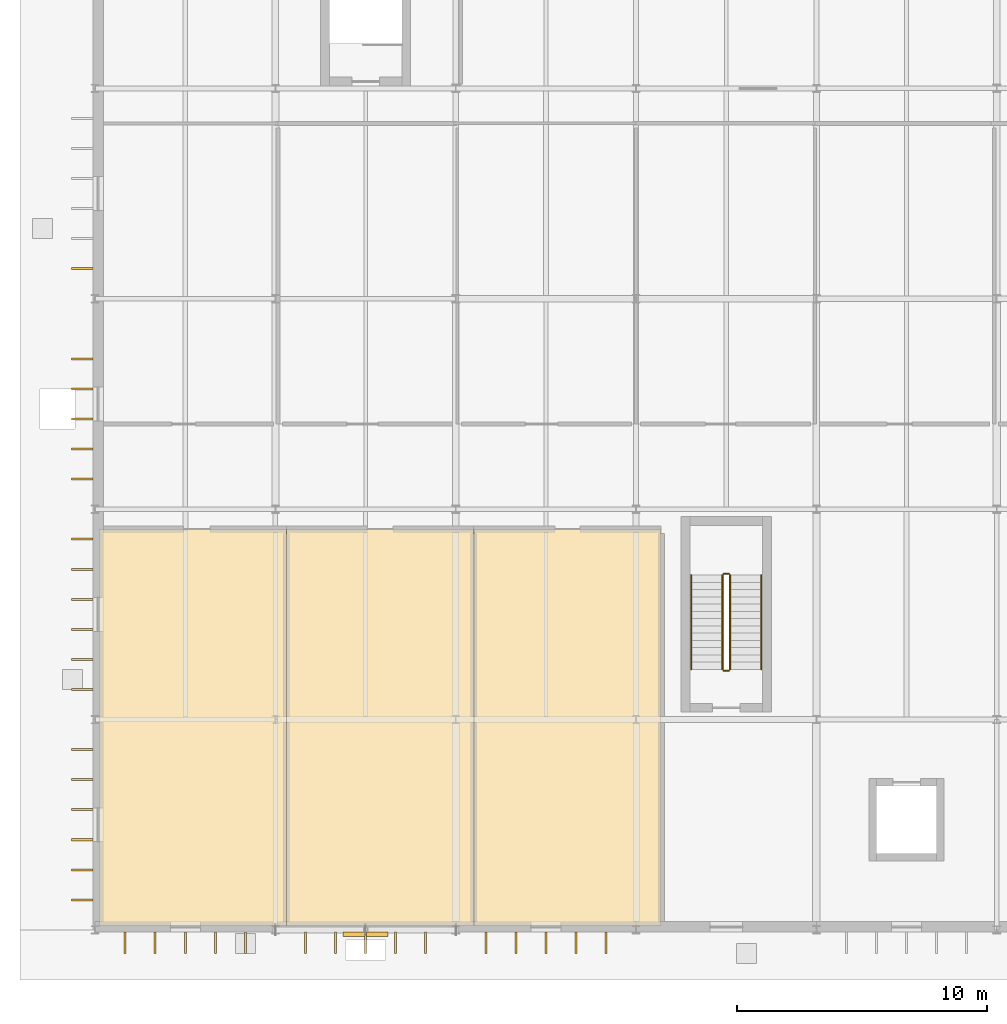
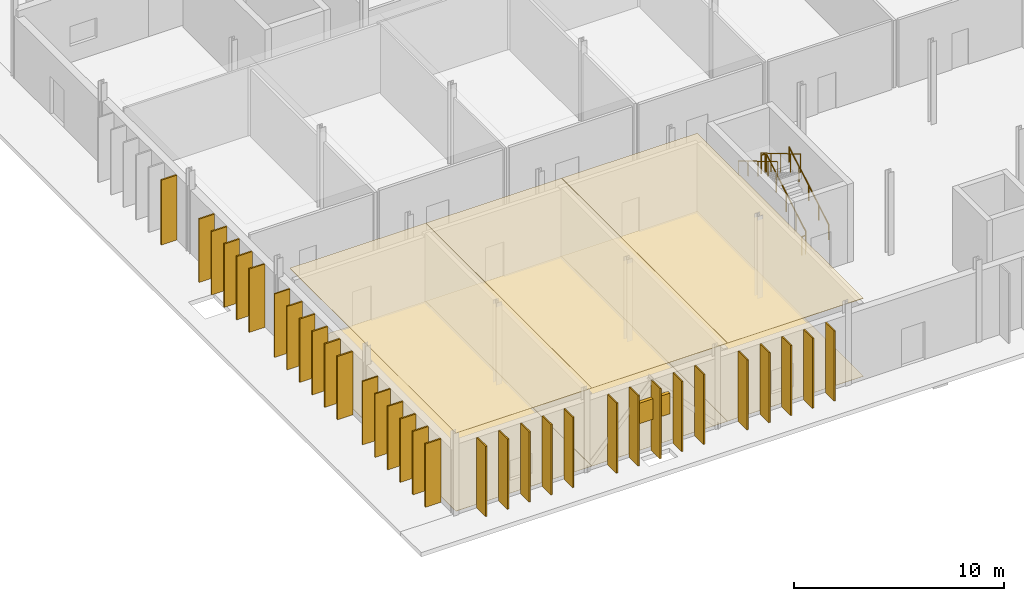
# One storey, part 102 of 118: 34 shading devices, 6 coverings, 6 railings.
"""IFC4 building model written with IfcOpenShell, lengths in metres."""

from ifc_helpers import new_model, si_unit, direction, frame, origin, origin_2d, place, context, subcontext, project, spatial, polyline, rectangle, circle, outline, extrude, material, layer, layer_set, type_object, element, save


model = new_model("IFC4")

# Units and contexts
model_context = context("Model", 3, precision=1e-05, world=origin(), true_north=direction((0.0, 1.0)))
body_context = subcontext(model_context, "Body", "Model", "MODEL_VIEW")
ifc_project = project(units=[si_unit("LENGTHUNIT", "METRE"), si_unit("AREAUNIT", "SQUARE_METRE"), si_unit("VOLUMEUNIT", "CUBIC_METRE"), si_unit("PLANEANGLEUNIT", "RADIAN"), si_unit("MASSUNIT", "GRAM", prefix="KILO")], contexts=[model_context])

# Site, building, storey
site_placement = place(None, origin())
site = spatial("IfcSite", under=ifc_project, at=site_placement, CompositionType="ELEMENT")
building_placement = place(site_placement, origin())
building = spatial("IfcBuilding", under=site, at=building_placement, Name="Qelthora Terrace Specialist Clinic", CompositionType="ELEMENT")
storey_placement = place(building_placement, origin())
storey = spatial("IfcBuildingStorey", under=building, at=storey_placement, Name="L00", CompositionType="ELEMENT", Elevation=0.0)

# Coverings
ifc_material_1 = material(Name="Hygienic mineral-fibre acoustic ceiling", Category="gypsum")
ifc_layer_1 = layer(ifc_material_1, 0.02490234375)
ifc_layer_set_1 = layer_set([ifc_layer_1], Name="Hygienic mineral-fibre acoustic ceiling")
covering_type_1 = type_object("IfcCoveringType", Name="COV-CEIL-ACU-25", PredefinedType="CEILING", material=ifc_layer_set_1)
covering_1_placement = place(storey_placement, frame((0.0, 0.0, 4.534912109375)))
element("IfcCovering", 1, at=covering_1_placement, inside=storey, type_object=covering_type_1, Name="MRI and CT Diagnostic Suite L00-11 acoustic ceiling", PredefinedType="CEILING", context=body_context, shape_type="SweptSolid", body=[
    extrude(outline(polyline([(0.14990234375, 0.14990234375), (0.14990234375, 16.0), (7.63330078125, 16.0), (7.63330078125, 0.14990234375), (0.14990234375, 0.14990234375)])), origin(), (0.0, 0.0, 1.0), 0.025146484375),
])
covering_2_placement = place(storey_placement, frame((0.0, 0.0, 4.534912109375)))
element("IfcCovering", 2, at=covering_2_placement, inside=storey, type_object=covering_type_1, Name="Fluoroscopy Imaging Room L00-12 acoustic ceiling", PredefinedType="CEILING", context=body_context, shape_type="SweptSolid", body=[
    extrude(outline(polyline([(7.63818359375, 0.14990234375), (7.63818359375, 16.0), (15.11669921875, 16.0), (15.11669921875, 0.14990234375), (7.63818359375, 0.14990234375)])), origin(), (0.0, 0.0, 1.0), 0.025146484375),
])
covering_3_placement = place(storey_placement, frame((0.0, 0.0, 4.534912109375)))
element("IfcCovering", 3, at=covering_3_placement, inside=storey, type_object=covering_type_1, Name="Imaging Control Booth L00-13 acoustic ceiling", PredefinedType="CEILING", context=body_context, shape_type="SweptSolid", body=[
    extrude(outline(polyline([(15.12158203125, 0.14990234375), (15.12158203125, 16.0), (22.60009765625, 16.0), (22.60009765625, 0.14990234375), (15.12158203125, 0.14990234375)])), origin(), (0.0, 0.0, 1.0), 0.025146484375),
])
ifc_material_2 = material(Name="Antimicrobial clinical linoleum flooring", Category="other")
ifc_layer_2 = layer(ifc_material_2, 0.011962890625)
ifc_layer_set_2 = layer_set([ifc_layer_2], Name="Antimicrobial clinical linoleum flooring")
covering_type_2 = type_object("IfcCoveringType", Name="COV-FLR-LINO-12", PredefinedType="FLOORING", material=ifc_layer_set_2)
covering_4_placement = place(storey_placement, origin())
element("IfcCovering", 4, at=covering_4_placement, inside=storey, type_object=covering_type_2, Name="MRI and CT Diagnostic Suite L00-11 resilient linoleum flooring", PredefinedType="FLOORING", context=body_context, shape_type="SweptSolid", body=[
    extrude(outline(polyline([(0.14990234375, 0.14990234375), (0.14990234375, 16.0), (7.63330078125, 16.0), (7.63330078125, 0.14990234375), (0.14990234375, 0.14990234375)])), origin(), (0.0, 0.0, 1.0), 0.011962890625),
])
covering_5_placement = place(storey_placement, origin())
element("IfcCovering", 5, at=covering_5_placement, inside=storey, type_object=covering_type_2, Name="Fluoroscopy Imaging Room L00-12 resilient linoleum flooring", PredefinedType="FLOORING", context=body_context, shape_type="SweptSolid", body=[
    extrude(outline(polyline([(7.63818359375, 0.14990234375), (7.63818359375, 16.0), (15.11669921875, 16.0), (15.11669921875, 0.14990234375), (7.63818359375, 0.14990234375)])), origin(), (0.0, 0.0, 1.0), 0.011962890625),
])
covering_6_placement = place(storey_placement, origin())
element("IfcCovering", 6, at=covering_6_placement, inside=storey, type_object=covering_type_2, Name="Imaging Control Booth L00-13 resilient linoleum flooring", PredefinedType="FLOORING", context=body_context, shape_type="SweptSolid", body=[
    extrude(outline(polyline([(15.12158203125, 0.14990234375), (15.12158203125, 16.0), (22.60009765625, 16.0), (22.60009765625, 0.14990234375), (15.12158203125, 0.14990234375)])), origin(), (0.0, 0.0, 1.0), 0.011962890625),
])

# Railings
ifc_material_3 = material(Name="Steel S355", Category="steel")
railing_type_1 = type_object("IfcRailingType", Name="RAL-GD-1100-S355", PredefinedType="GUARDRAIL", material=ifc_material_3)
railing_1_placement = place(storey_placement, frame((25.35009765625, 10.39990234375, 0.17138671875)))
element("IfcRailing", 7, at=railing_1_placement, inside=storey, type_object=railing_type_1, Name="L00 ST-03 stair guard 1", PredefinedType="GUARDRAIL", context=body_context, shape_type="SweptSolid", body=[
    extrude(circle(Radius=0.02392578125, at=origin_2d()), frame((0.0, 0.0, 1.076171875), z_axis=(0.0, 0.860848830602, 0.508860777473), x_axis=(-1.0, 0.0, 0.0)), (0.0, 0.0, 1.0), 4.37939453125),
    extrude(circle(Radius=0.02099609375, at=origin_2d()), origin(), (0.0, 0.0, 1.0), 1.052001953125),
    extrude(circle(Radius=0.02099609375, at=origin_2d()), frame((0.0, 0.9423828125, 0.55712890625)), (0.0, 0.0, 1.0), 1.052001953125),
    extrude(circle(Radius=0.02099609375, at=origin_2d()), frame((0.0, 1.885009765625, 1.1142578125)), (0.0, 0.0, 1.0), 1.052001953125),
    extrude(circle(Radius=0.02099609375, at=origin_2d()), frame((0.0, 2.82763671875, 1.67138671875)), (0.0, 0.0, 1.0), 1.052001953125),
    extrude(circle(Radius=0.02099609375, at=origin_2d()), frame((0.0, 3.77001953125, 2.228515625)), (0.0, 0.0, 1.0), 1.052001953125),
])
railing_2_placement = place(storey_placement, frame((25.300048828125, 14.219970703125, 2.39990234375)))
element("IfcRailing", 8, at=railing_2_placement, inside=storey, type_object=railing_type_1, Name="L00 ST-03 stair guard 2", PredefinedType="GUARDRAIL", context=body_context, shape_type="SweptSolid", body=[
    extrude(circle(Radius=0.02392578125, at=origin_2d()), frame((0.0, 0.0, 1.076171875), z_axis=(-1.0, 0.0, 0.0), x_axis=(0.0, -1.0, 0.0)), (0.0, 0.0, 1.0), 0.199951171875),
    extrude(circle(Radius=0.02099609375, at=origin_2d()), origin(), (0.0, 0.0, 1.0), 1.052001953125),
    extrude(circle(Radius=0.02099609375, at=origin_2d()), frame((-0.199951171875, 0.0, 0.0)), (0.0, 0.0, 1.0), 1.052001953125),
])
railing_3_placement = place(storey_placement, frame((25.050048828125, 14.169921875, 2.571533203125)))
element("IfcRailing", 9, at=railing_3_placement, inside=storey, type_object=railing_type_1, Name="L00 ST-03 stair guard 3", PredefinedType="GUARDRAIL", context=body_context, shape_type="SweptSolid", body=[
    extrude(circle(Radius=0.02392578125, at=origin_2d()), frame((0.0, 0.0, 1.076171875), z_axis=(0.0, -0.860848830602, 0.508860777473), x_axis=(1.0, 0.0, 0.0)), (0.0, 0.0, 1.0), 4.37939453125),
    extrude(circle(Radius=0.02099609375, at=origin_2d()), origin(), (0.0, 0.0, 1.0), 1.052001953125),
    extrude(circle(Radius=0.02099609375, at=origin_2d()), frame((0.0, -0.9423828125, 0.55712890625)), (0.0, 0.0, 1.0), 1.052001953125),
    extrude(circle(Radius=0.02099609375, at=origin_2d()), frame((0.0, -1.885009765625, 1.1142578125)), (0.0, 0.0, 1.0), 1.052001953125),
    extrude(circle(Radius=0.02099609375, at=origin_2d()), frame((0.0, -2.82763671875, 1.67138671875)), (0.0, 0.0, 1.0), 1.052001953125),
    extrude(circle(Radius=0.02099609375, at=origin_2d()), frame((0.0, -3.77001953125, 2.228515625)), (0.0, 0.0, 1.0), 1.052001953125),
])
railing_4_placement = place(storey_placement, frame((25.300048828125, 10.35009765625, 0.0)))
element("IfcRailing", 10, at=railing_4_placement, inside=storey, type_object=railing_type_1, Name="L00 ST-03 stair guard 4", PredefinedType="GUARDRAIL", context=body_context, shape_type="SweptSolid", body=[
    extrude(circle(Radius=0.02392578125, at=origin_2d()), frame((0.0, 0.0, 1.076171875), z_axis=(-1.0, 0.0, 0.0), x_axis=(0.0, -1.0, 0.0)), (0.0, 0.0, 1.0), 0.199951171875),
    extrude(circle(Radius=0.02099609375, at=origin_2d()), origin(), (0.0, 0.0, 1.0), 1.052001953125),
    extrude(circle(Radius=0.02099609375, at=origin_2d()), frame((-0.199951171875, 0.0, 0.0)), (0.0, 0.0, 1.0), 1.052001953125),
])
railing_type_2 = type_object("IfcRailingType", Name="RAL-HR-900-S355", PredefinedType="HANDRAIL", material=ifc_material_3)
railing_5_placement = place(storey_placement, frame((26.60009765625, 10.39990234375, 0.36083984375)))
element("IfcRailing", 11, at=railing_5_placement, inside=storey, type_object=railing_type_2, Name="L00 ST-03 stair handrail 1", PredefinedType="HANDRAIL", context=body_context, shape_type="SweptSolid", body=[
    extrude(circle(Radius=0.02392578125, at=origin_2d()), frame((0.0, 0.0, 0.8759765625), z_axis=(0.0, 0.860848830602, 0.508860777473), x_axis=(-1.0, 0.0, 0.0)), (0.0, 0.0, 1.0), 4.37939453125),
    extrude(circle(Radius=0.02099609375, at=origin_2d()), origin(), (0.0, 0.0, 1.0), 0.851806640625),
    extrude(circle(Radius=0.02099609375, at=origin_2d()), frame((0.0, 0.9423828125, 0.55712890625)), (0.0, 0.0, 1.0), 0.851806640625),
    extrude(circle(Radius=0.02099609375, at=origin_2d()), frame((0.0, 1.885009765625, 1.1142578125)), (0.0, 0.0, 1.0), 0.851806640625),
    extrude(circle(Radius=0.02099609375, at=origin_2d()), frame((0.0, 2.82763671875, 1.67138671875)), (0.0, 0.0, 1.0), 0.851806640625),
    extrude(circle(Radius=0.02099609375, at=origin_2d()), frame((0.0, 3.77001953125, 2.228515625)), (0.0, 0.0, 1.0), 0.851806640625),
])
railing_6_placement = place(storey_placement, frame((23.800048828125, 14.169921875, 2.7607421875)))
element("IfcRailing", 12, at=railing_6_placement, inside=storey, type_object=railing_type_2, Name="L00 ST-03 stair handrail 2", PredefinedType="HANDRAIL", context=body_context, shape_type="SweptSolid", body=[
    extrude(circle(Radius=0.02392578125, at=origin_2d()), frame((0.0, 0.0, 0.8759765625), z_axis=(0.0, -0.860824410104, 0.508902087802), x_axis=(1.0, 0.0, 0.0)), (0.0, 0.0, 1.0), 4.379638671875),
    extrude(circle(Radius=0.02099609375, at=origin_2d()), origin(), (0.0, 0.0, 1.0), 0.851806640625),
    extrude(circle(Radius=0.02099609375, at=origin_2d()), frame((0.0, -0.9423828125, 0.55712890625)), (0.0, 0.0, 1.0), 0.851806640625),
    extrude(circle(Radius=0.02099609375, at=origin_2d()), frame((0.0, -1.885009765625, 1.1142578125)), (0.0, 0.0, 1.0), 0.851806640625),
    extrude(circle(Radius=0.02099609375, at=origin_2d()), frame((0.0, -2.82763671875, 1.671630859375)), (0.0, 0.0, 1.0), 0.851806640625),
    extrude(circle(Radius=0.02099609375, at=origin_2d()), frame((0.0, -3.77001953125, 2.228759765625)), (0.0, 0.0, 1.0), 0.851806640625),
])

# Shading devices
ifc_material_4 = material(Name="Glulam timber GL28h", Category="wood")
shading_device_type_1 = type_object("IfcShadingDeviceType", Name="SHD-FIN-850", PredefinedType="USERDEFINED", material=ifc_material_4)
for number, where, z_axis, x_axis, name in (
    (13, (1.199951171875, -0.514892578125, 0.0), (0.0, 0.0, 1.0), (0.0, -1.0, 0.0), "Exterior solar shading fin FIN-0521"),
    (14, (2.39990234375, -0.514892578125, 0.0), (0.0, 0.0, 1.0), (0.0, -1.0, 0.0), "Exterior solar shading fin FIN-0522"),
    (15, (3.60009765625, -0.514892578125, 0.0), (0.0, 0.0, 1.0), (0.0, -1.0, 0.0), "Exterior solar shading fin FIN-0523"),
    (16, (4.800048828125, -0.514892578125, 0.0), (0.0, 0.0, 1.0), (0.0, -1.0, 0.0), "Exterior solar shading fin FIN-0524"),
    (17, (6.0, -0.514892578125, 0.0), (0.0, 0.0, 1.0), (0.0, -1.0, 0.0), "Exterior solar shading fin FIN-0525"),
    (18, (8.39990234375, -0.514892578125, 0.0), (0.0, 0.0, 1.0), (0.0, -1.0, 0.0), "Exterior solar shading fin FIN-0526"),
    (19, (9.60009765625, -0.514892578125, 0.0), (0.0, 0.0, 1.0), (0.0, -1.0, 0.0), "Exterior solar shading fin FIN-0527"),
    (20, (10.800048828125, -0.514892578125, 0.0), (0.0, 0.0, 1.0), (0.0, -1.0, 0.0), "Exterior solar shading fin FIN-0528"),
    (21, (12.0, -0.514892578125, 0.0), (0.0, 0.0, 1.0), (0.0, -1.0, 0.0), "Exterior solar shading fin FIN-0529"),
    (22, (13.199951171875, -0.514892578125, 0.0), (0.0, 0.0, 1.0), (0.0, -1.0, 0.0), "Exterior solar shading fin FIN-0530"),
    (23, (15.60009765625, -0.514892578125, 0.0), (0.0, 0.0, 1.0), (0.0, -1.0, 0.0), "Exterior solar shading fin FIN-0531"),
    (24, (16.800048828125, -0.514892578125, 0.0), (0.0, 0.0, 1.0), (0.0, -1.0, 0.0), "Exterior solar shading fin FIN-0532"),
    (25, (18.0, -0.514892578125, 0.0), (0.0, 0.0, 1.0), (0.0, -1.0, 0.0), "Exterior solar shading fin FIN-0533"),
    (26, (19.199951171875, -0.514892578125, 0.0), (0.0, 0.0, 1.0), (0.0, -1.0, 0.0), "Exterior solar shading fin FIN-0534"),
    (27, (20.39990234375, -0.514892578125, 0.0), (0.0, 0.0, 1.0), (0.0, -1.0, 0.0), "Exterior solar shading fin FIN-0535"),
):
    element("IfcShadingDevice", number, at=place(storey_placement, frame(where, z_axis=z_axis, x_axis=x_axis)), inside=storey, type_object=shading_device_type_1, Name=name, ObjectType="FIN", PredefinedType="USERDEFINED", context=body_context, shape_type="SweptSolid", body=[
        extrude(rectangle(XDim=0.85009765625, YDim=0.080078125, at=origin_2d()), origin(), (0.0, 0.0, 1.0), 4.08203125),
    ])
for number, where, z_axis, x_axis, name in (
    (28, (-0.514892578125, 1.199951171875, 0.0), (0.0, 0.0, 1.0), (-1.0, 0.0, 0.0), "Exterior solar shading fin FIN-0546"),
    (29, (-0.514892578125, 2.39990234375, 0.0), (0.0, 0.0, 1.0), (-1.0, 0.0, 0.0), "Exterior solar shading fin FIN-0547"),
    (30, (-0.514892578125, 3.60009765625, 0.0), (0.0, 0.0, 1.0), (-1.0, 0.0, 0.0), "Exterior solar shading fin FIN-0548"),
    (31, (-0.514892578125, 4.800048828125, 0.0), (0.0, 0.0, 1.0), (-1.0, 0.0, 0.0), "Exterior solar shading fin FIN-0549"),
    (32, (-0.514892578125, 6.0, 0.0), (0.0, 0.0, 1.0), (-1.0, 0.0, 0.0), "Exterior solar shading fin FIN-0550"),
    (33, (-0.514892578125, 7.199951171875, 0.0), (0.0, 0.0, 1.0), (-1.0, 0.0, 0.0), "Exterior solar shading fin FIN-0551"),
    (34, (-0.514892578125, 9.60009765625, 0.0), (0.0, 0.0, 1.0), (-1.0, 0.0, 0.0), "Exterior solar shading fin FIN-0552"),
    (35, (-0.514892578125, 10.800048828125, 0.0), (0.0, 0.0, 1.0), (-1.0, 0.0, 0.0), "Exterior solar shading fin FIN-0553"),
    (36, (-0.514892578125, 12.0, 0.0), (0.0, 0.0, 1.0), (-1.0, 0.0, 0.0), "Exterior solar shading fin FIN-0554"),
    (37, (-0.514892578125, 13.199951171875, 0.0), (0.0, 0.0, 1.0), (-1.0, 0.0, 0.0), "Exterior solar shading fin FIN-0555"),
    (38, (-0.514892578125, 14.39990234375, 0.0), (0.0, 0.0, 1.0), (-1.0, 0.0, 0.0), "Exterior solar shading fin FIN-0556"),
    (39, (-0.514892578125, 15.60009765625, 0.0), (0.0, 0.0, 1.0), (-1.0, 0.0, 0.0), "Exterior solar shading fin FIN-0557"),
    (40, (-0.514892578125, 18.0, 0.0), (0.0, 0.0, 1.0), (-1.0, 0.0, 0.0), "Exterior solar shading fin FIN-0558"),
    (41, (-0.514892578125, 19.199951171875, 0.0), (0.0, 0.0, 1.0), (-1.0, 0.0, 0.0), "Exterior solar shading fin FIN-0559"),
    (42, (-0.514892578125, 20.39990234375, 0.0), (0.0, 0.0, 1.0), (-1.0, 0.0, 0.0), "Exterior solar shading fin FIN-0560"),
    (43, (-0.514892578125, 21.60009765625, 0.0), (0.0, 0.0, 1.0), (-1.0, 0.0, 0.0), "Exterior solar shading fin FIN-0561"),
    (44, (-0.514892578125, 22.800048828125, 0.0), (0.0, 0.0, 1.0), (-1.0, 0.0, 0.0), "Exterior solar shading fin FIN-0562"),
):
    element("IfcShadingDevice", number, at=place(storey_placement, frame(where, z_axis=z_axis, x_axis=x_axis)), inside=storey, type_object=shading_device_type_1, Name=name, ObjectType="FIN", PredefinedType="USERDEFINED", context=body_context, shape_type="SweptSolid", body=[
        extrude(rectangle(XDim=0.85009765625, YDim=0.080078125, at=origin_2d()), origin(), (0.0, 0.0, 1.0), 3.69091796875),
    ])
shading_device_1_placement = place(storey_placement, frame((-0.514892578125, 26.39990234375, 0.0), z_axis=(0.0, 0.0, 1.0), x_axis=(-1.0, 0.0, 0.0)))
element("IfcShadingDevice", 45, at=shading_device_1_placement, inside=storey, type_object=shading_device_type_1, Name="Exterior solar shading fin FIN-0563", ObjectType="FIN", PredefinedType="USERDEFINED", context=body_context, shape_type="SweptSolid", body=[
    extrude(rectangle(XDim=0.85009765625, YDim=0.080078125, at=origin_2d()), origin(), (0.0, 0.0, 1.0), 3.77197265625),
])
ifc_material_5 = material(Name="Aluminium anodized bronze", Category="aluminium")
shading_device_type_2 = type_object("IfcShadingDeviceType", Name="SHD-LOUVRE-1800", PredefinedType="USERDEFINED", material=ifc_material_5)
shading_device_2_placement = place(storey_placement, frame((10.800048828125, -0.179931640625, 1.89990234375), z_axis=(0.0, 0.0, 1.0), x_axis=(1.0, 0.0, 0.0)))
element("IfcShadingDevice", 46, at=shading_device_2_placement, inside=storey, type_object=shading_device_type_2, Name="High-altitude HVAC louvre LVR-007", ObjectType="LOUVRE", PredefinedType="USERDEFINED", context=body_context, shape_type="SweptSolid", body=[
    extrude(rectangle(XDim=1.800048828125, YDim=0.179931640625, at=origin_2d()), origin(), (0.0, 0.0, 1.0), 1.199951171875),
])

save(model, "model.ifc")
